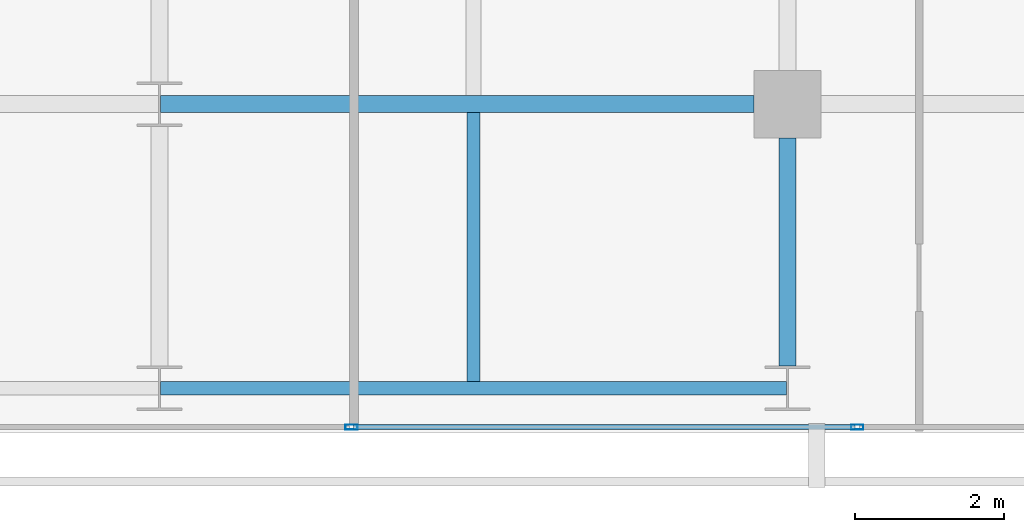
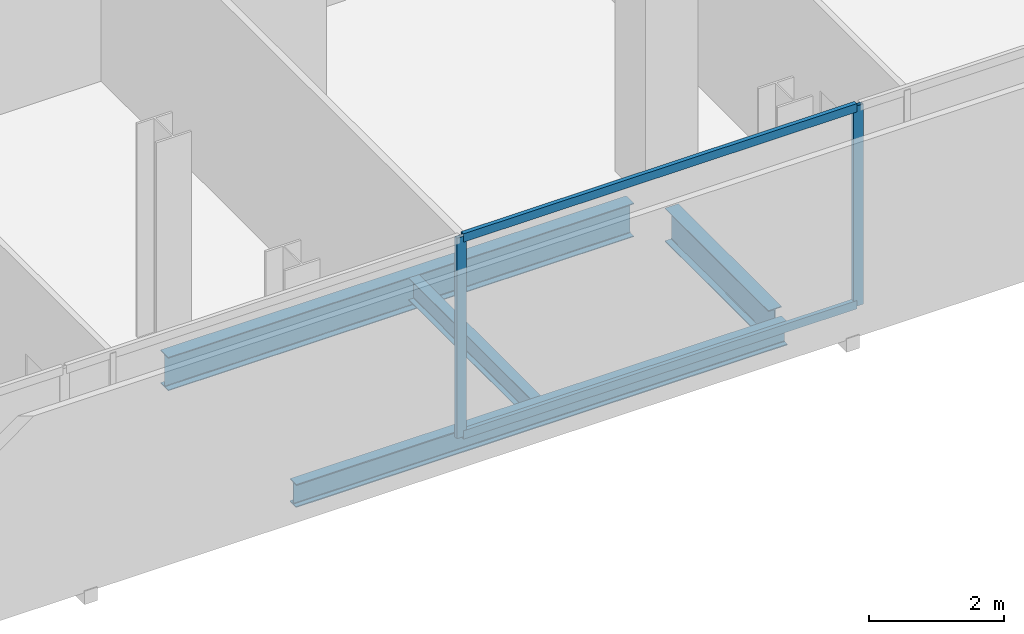
# One storey, part 12 of 33: 4 beams, 4 members, 1 element without a shape of its own.
"""IFC4 building model written with IfcOpenShell, lengths in metres."""

from ifc_helpers import new_model, si_unit, direction, frame, origin, origin_2d, place, context, subcontext, project, spatial, hollow_rectangle, i_section, extrude, material, layer, layer_set, material_profile, profile_set, type_object, element, aggregate, save


model = new_model("IFC4")

# Units and contexts
model_context = context("Model", 3, precision=1e-05, world=origin(), true_north=direction((0.0, 1.0)))
body_context = subcontext(model_context, "Body", "Model", "MODEL_VIEW")
ifc_project = project(units=[si_unit("LENGTHUNIT", "METRE"), si_unit("AREAUNIT", "SQUARE_METRE"), si_unit("VOLUMEUNIT", "CUBIC_METRE"), si_unit("PLANEANGLEUNIT", "RADIAN"), si_unit("MASSUNIT", "GRAM", prefix="KILO")], contexts=[model_context])

# Site, building, storey
site_placement = place(None, origin())
site = spatial("IfcSite", under=ifc_project, at=site_placement, CompositionType="ELEMENT")
building_placement = place(site_placement, origin())
building = spatial("IfcBuilding", under=site, at=building_placement, Name="Maruvema Waterfront Hotel and Observation Tower", CompositionType="ELEMENT")
storey_placement = place(building_placement, frame((0.0, 0.0, 169.75)))
storey = spatial("IfcBuildingStorey", under=building, at=storey_placement, Name="L41", CompositionType="ELEMENT", Elevation=169.75)

# Curtain wall, members
ifc_material_1 = material(Name="Anodised bronze aluminium and solar-control low-E IGU", Category="aluminium")
ifc_layer = layer(ifc_material_1, 0.159912109375, Name="Zone 2 Amber Inner Thermal Curtain Wall System CW-03")
ifc_layer_set = layer_set([ifc_layer], Name="Anodised bronze aluminium and solar-control low-E IGU")
curtain_wall_type = type_object("IfcCurtainWallType", Name="Zone 2 Amber Inner Thermal Curtain Wall System CW-03", PredefinedType="USERDEFINED", material=ifc_layer_set)
curtain_wall_placement = place(storey_placement, origin())
curtain_wall = element("IfcCurtainWall", 1, at=curtain_wall_placement, inside=storey, type_object=curtain_wall_type, Name="L41 Curtain Wall CW-L41-S", ObjectType="UNITISED CURTAIN WALL", PredefinedType="USERDEFINED")
ifc_material_2 = material(Name="Anodised architectural bronze aluminium", Category="aluminium")
ifc_material_profile_1 = material_profile(ifc_material_2, hollow_rectangle(XDim=0.070068359375, YDim=0.14990234375, WallThickness=0.00390625, at=origin_2d()), Name="ALU-T70x150")
ifc_profile_set_1 = profile_set([ifc_material_profile_1], Name="Anodised architectural bronze aluminium")
member_type_1 = type_object("IfcMemberType", Name="Curtain Wall Horizontal Transom ALU-T70x150", PredefinedType="USERDEFINED", material=ifc_profile_set_1)
member_1_placement = place(storey_placement, frame((44.5966796875, 4.679931640625, 0.030029296875), z_axis=(1.0, 0.0, 0.0), x_axis=(0.0, 1.0, 0.0)))
member_1 = element("IfcMember", 2, at=member_1_placement, type_object=member_type_1, Name="CW-03 transom 5.1", ObjectType="TRANSOM", PredefinedType="USERDEFINED", context=body_context, shape_type="SweptSolid", body=[
    extrude(hollow_rectangle(XDim=0.070068359375, YDim=0.14990234375, WallThickness=0.00390625, at=origin_2d()), origin(), (0.0, 0.0, 1.0), 6.70654296875),
])
member_2_placement = place(storey_placement, frame((44.5966796875, 4.679931640625, 3.580078125), z_axis=(1.0, 0.0, 0.0), x_axis=(0.0, 1.0, 0.0)))
member_2 = element("IfcMember", 3, at=member_2_placement, type_object=member_type_1, Name="CW-03 transom 5.2", ObjectType="TRANSOM", PredefinedType="USERDEFINED", context=body_context, shape_type="SweptSolid", body=[
    extrude(hollow_rectangle(XDim=0.070068359375, YDim=0.14990234375, WallThickness=0.00390625, at=origin_2d()), origin(), (0.0, 0.0, 1.0), 6.70654296875),
])
ifc_material_3 = material(Name="Anodised architectural bronze aluminium", Category="aluminium")
ifc_material_profile_2 = material_profile(ifc_material_3, hollow_rectangle(XDim=0.06494140625, YDim=0.1650390625, WallThickness=0.00390625, at=origin_2d()), Name="ALU-M65x165")
ifc_profile_set_2 = profile_set([ifc_material_profile_2], Name="Anodised architectural bronze aluminium")
member_type_2 = type_object("IfcMemberType", Name="Curtain Wall Primary Mullion ALU-M65x165", PredefinedType="MULLION", material=ifc_profile_set_2)
member_3_placement = place(storey_placement, frame((44.566650390625, 4.679931640625, 0.0), z_axis=(0.0, 0.0, 1.0), x_axis=(0.0, 1.0, 0.0)))
member_3 = element("IfcMember", 4, at=member_3_placement, type_object=member_type_2, Name="CW-03 mullion 5", PredefinedType="MULLION", context=body_context, shape_type="SweptSolid", body=[
    extrude(hollow_rectangle(XDim=0.06494140625, YDim=0.1650390625, WallThickness=0.00390625, at=origin_2d()), origin(), (0.0, 0.0, 1.0), 3.610107421875),
])
member_4_placement = place(storey_placement, frame((51.333251953125, 4.679931640625, 0.0), z_axis=(0.0, 0.0, 1.0), x_axis=(0.0, 1.0, 0.0)))
member_4 = element("IfcMember", 5, at=member_4_placement, type_object=member_type_2, Name="CW-03 mullion 6", PredefinedType="MULLION", context=body_context, shape_type="SweptSolid", body=[
    extrude(hollow_rectangle(XDim=0.06494140625, YDim=0.1650390625, WallThickness=0.00390625, at=origin_2d()), origin(), (0.0, 0.0, 1.0), 3.610107421875),
])
aggregate(curtain_wall, [member_3, member_4, member_1, member_2])

# Beams
ifc_material_4 = material(Name="Steel ASTM A572 Grade 50", Category="steel")
ifc_material_profile_3 = material_profile(ifc_material_4, i_section(OverallWidth=0.180908203125, OverallDepth=0.4169921875, WebThickness=0.010986328125, FlangeThickness=0.018310546875, FilletRadius=0.014892578125, at=origin_2d()), Name="W410x85.0")
ifc_profile_set_3 = profile_set([ifc_material_profile_3], Name="Steel ASTM A572 Grade 50")
beam_type_1 = type_object("IfcBeamType", Name="Perimeter Spandrel Beam W410x85.0", PredefinedType="SPANDREL", material=ifc_profile_set_3)
beam_1_placement = place(storey_placement, frame((42.012451171875, 5.199951171875, -0.448486328125), z_axis=(1.0, 0.0, 0.0), x_axis=(0.0, 1.0, 0.0)))
element("IfcBeam", 6, at=beam_1_placement, inside=storey, type_object=beam_type_1, Name="L41 Floor Girder EW-03", PredefinedType="SPANDREL", context=body_context, shape_type="SweptSolid", body=[
    extrude(i_section(OverallWidth=0.180908203125, OverallDepth=0.4169921875, WebThickness=0.010986328125, FlangeThickness=0.018310546875, FilletRadius=0.014892578125, at=origin_2d()), origin(), (0.0, 0.0, 1.0), 8.375),
])
ifc_material_5 = material(Name="Steel ASTM A572 Grade 50", Category="steel")
ifc_material_profile_4 = material_profile(ifc_material_5, i_section(OverallWidth=0.22802734375, OverallDepth=0.60302734375, WebThickness=0.010498046875, FlangeThickness=0.014892578125, FilletRadius=0.01806640625, at=origin_2d()), Name="W610x101.0")
ifc_profile_set_4 = profile_set([ifc_material_profile_4], Name="Steel ASTM A572 Grade 50")
beam_type_2 = type_object("IfcBeamType", Name="Primary Floor Girder W610x101.0", PredefinedType="BEAM", material=ifc_profile_set_4)
beam_2_placement = place(storey_placement, frame((42.012451171875, 9.0, -0.54150390625), z_axis=(1.0, 0.0, 0.0), x_axis=(0.0, 1.0, 0.0)))
element("IfcBeam", 7, at=beam_2_placement, inside=storey, type_object=beam_type_2, Name="L41 Floor Girder EW-08", PredefinedType="BEAM", context=body_context, shape_type="SweptSolid", body=[
    extrude(i_section(OverallWidth=0.22802734375, OverallDepth=0.60302734375, WebThickness=0.010498046875, FlangeThickness=0.014892578125, FilletRadius=0.01806640625, at=origin_2d()), origin(), (0.0, 0.0, 1.0), 7.9375),
])
beam_3_placement = place(storey_placement, frame((50.39990234375, 5.5, -0.54150390625), z_axis=(0.0, 1.0, 0.0), x_axis=(-1.0, 0.0, 0.0)))
element("IfcBeam", 8, at=beam_3_placement, inside=storey, type_object=beam_type_2, Name="L41 Floor Girder NS-20", PredefinedType="BEAM", context=body_context, shape_type="SweptSolid", body=[
    extrude(i_section(OverallWidth=0.22802734375, OverallDepth=0.60302734375, WebThickness=0.010498046875, FlangeThickness=0.014892578125, FilletRadius=0.01806640625, at=origin_2d()), origin(), (0.0, 0.0, 1.0), 3.050048828125),
])
ifc_material_6 = material(Name="Steel ASTM A572 Grade 50", Category="steel")
ifc_material_profile_5 = material_profile(ifc_material_6, i_section(OverallWidth=0.177001953125, OverallDepth=0.403076171875, WebThickness=0.007568359375, FlangeThickness=0.010986328125, FilletRadius=0.014892578125, at=origin_2d()), Name="W410x53.0")
ifc_profile_set_5 = profile_set([ifc_material_profile_5], Name="Steel ASTM A572 Grade 50")
beam_type_3 = type_object("IfcBeamType", Name="Secondary Floor Joist W410x53.0", PredefinedType="JOIST", material=ifc_profile_set_5)
beam_4_placement = place(storey_placement, frame((46.199951171875, 5.29052734375, -0.44140625), z_axis=(0.0, 1.0, 0.0), x_axis=(-1.0, 0.0, 0.0)))
element("IfcBeam", 9, at=beam_4_placement, inside=storey, type_object=beam_type_3, Name="L41 Secondary Floor Joist JS-09", PredefinedType="JOIST", context=body_context, shape_type="SweptSolid", body=[
    extrude(i_section(OverallWidth=0.177001953125, OverallDepth=0.403076171875, WebThickness=0.007568359375, FlangeThickness=0.010986328125, FilletRadius=0.014892578125, at=origin_2d()), origin(), (0.0, 0.0, 1.0), 3.595458984375),
])

save(model, "model.ifc")
